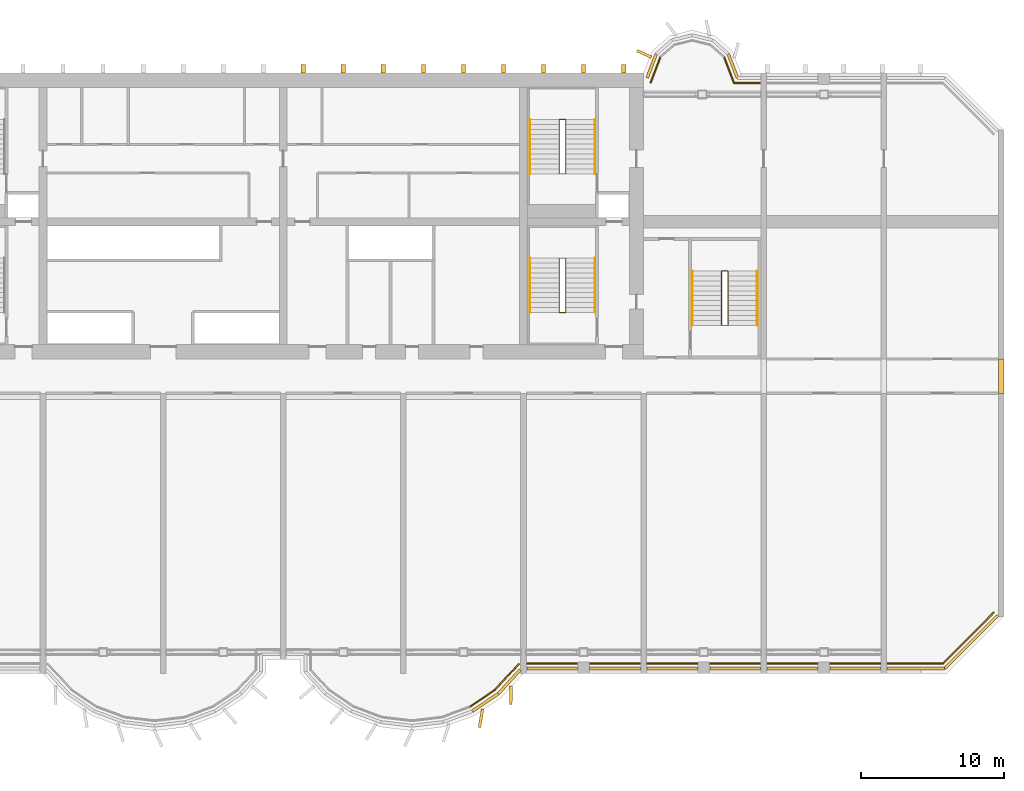
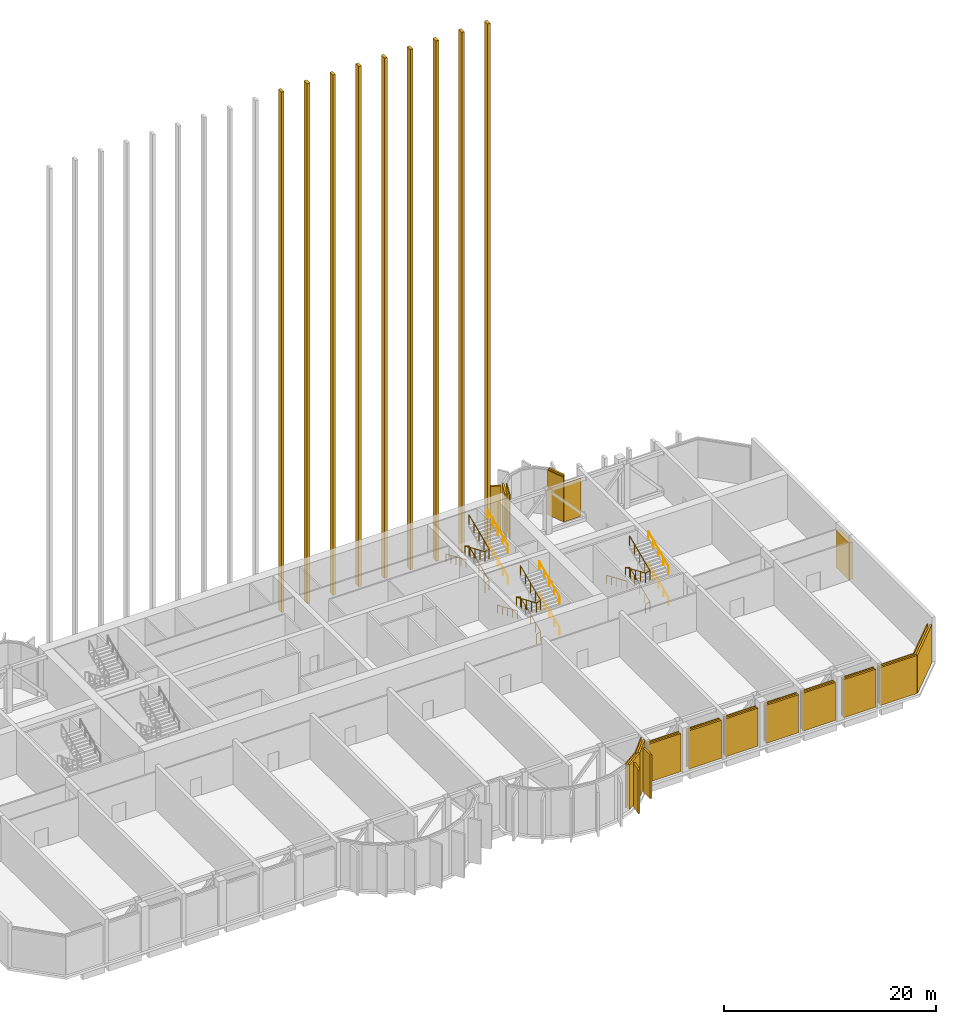
# One storey, part 16 of 17: 25 coverings, 13 shading devices, 12 railings.
"""IFC4 building model written with IfcOpenShell, lengths in metres."""

import ifcopenshell
import ifcopenshell.guid

model = None  # the IFC model being written
_history = None  # IfcOwnerHistory: only IFC2X3 demands one
_inside = {}  # id of a spatial element -> (the spatial element, [elements in it])
_under = {}  # id of a project, library or spatial element -> (it, [spatial elements below it])
_declared = {}  # id of a project -> (the project, [libraries it declares])
_typed = {}  # id of a type object -> (the type object, [elements of that type])
_made_of = {}  # id of a material, layer set ... -> (it, [elements and type objects made of it])


def new_model(schema):
    """Start an empty IFC model of exactly this schema.

    Asked for "IFC4X3", IfcOpenShell would pick the latest addendum, in which some entities
    have other attributes; the version numbers below select the first issue.
    IFC2X3 requires an IfcOwnerHistory on every rooted entity: one is made here for all.
    """
    global model, _history
    if schema == "IFC4X3":
        model = ifcopenshell.file(schema_version=(4, 3, 0, 0))
    else:
        model = ifcopenshell.file(schema=schema)
    _inside.clear()
    _under.clear()
    _declared.clear()
    _typed.clear()
    _made_of.clear()
    _history = None
    if model.schema == "IFC2X3":
        org = make("IfcOrganization", Name="unknown")
        user = make(
            "IfcPersonAndOrganization",
            ThePerson=make("IfcPerson", FamilyName="unknown"),
            TheOrganization=org,
        )
        app = make(
            "IfcApplication",
            ApplicationDeveloper=org,
            Version="unknown",
            ApplicationFullName="unknown",
            ApplicationIdentifier="unknown",
        )
        _history = make(
            "IfcOwnerHistory",
            OwningUser=user,
            OwningApplication=app,
            ChangeAction="ADDED",
            CreationDate=0,
        )
    return model


def make(cls, **values):
    """One entity of the class cls with the attributes given. An attribute that is None is left unset."""
    return model.create_entity(
        cls, **{name: value for name, value in values.items() if value is not None}
    )


def rooted(cls, **values):
    """An entity with a GlobalId (a new one), such as an element, a storey or a relation."""
    return make(cls, GlobalId=ifcopenshell.guid.new(), OwnerHistory=_history, **values)


def si_unit(unit_type, name, prefix=None):
    """IfcSIUnit, for example si_unit("LENGTHUNIT", "METRE", prefix="MILLI")."""
    return make("IfcSIUnit", UnitType=unit_type, Prefix=prefix, Name=name)


def assignment(units):
    """IfcUnitAssignment: the units of a project."""
    return None if units is None else make("IfcUnitAssignment", Units=units)


def point(xyz):
    """IfcCartesianPoint."""
    return None if xyz is None else make("IfcCartesianPoint", Coordinates=xyz)


def direction(xyz):
    """IfcDirection."""
    return None if xyz is None else make("IfcDirection", DirectionRatios=xyz)


def frame(location, z_axis=None, x_axis=None):
    """IfcAxis2Placement3D, a coordinate frame: its origin and axes. An axis left out is left unset."""
    return make(
        "IfcAxis2Placement3D",
        Location=point(location),
        Axis=direction(z_axis),
        RefDirection=direction(x_axis),
    )


def frame_2d(location, x_axis=None):
    """IfcAxis2Placement2D, a coordinate frame in the plane: its origin and x axis."""
    return make(
        "IfcAxis2Placement2D", Location=point(location), RefDirection=direction(x_axis)
    )


def origin():
    """The frame at (0, 0, 0) with its axes left unset."""
    return frame((0.0, 0.0, 0.0))


def origin_2d():
    """The frame at (0, 0) in the plane with its x axis left unset."""
    return frame_2d((0.0, 0.0))


def place(relative_to, where):
    """IfcLocalPlacement: puts the frame where relative to a parent placement (None: the world)."""
    return make(
        "IfcLocalPlacement", PlacementRelTo=relative_to, RelativePlacement=where
    )


def context(
    kind, dimensions, precision=None, world=None, true_north=None, identifier=None
):
    """IfcGeometricRepresentationContext, for example the 3D "Model" context."""
    return make(
        "IfcGeometricRepresentationContext",
        ContextIdentifier=identifier,
        ContextType=kind,
        CoordinateSpaceDimension=dimensions,
        Precision=precision,
        WorldCoordinateSystem=world,
        TrueNorth=true_north,
    )


def subcontext(parent, identifier, kind, view, scale=None):
    """IfcGeometricRepresentationSubContext, for example "Body" below "Model"."""
    return make(
        "IfcGeometricRepresentationSubContext",
        ContextIdentifier=identifier,
        ContextType=kind,
        ParentContext=parent,
        TargetScale=scale,
        TargetView=view,
    )


def project(units=None, contexts=None):
    """IfcProject with its units and contexts."""
    return rooted(
        "IfcProject",
        Name="project",
        RepresentationContexts=contexts,
        UnitsInContext=assignment(units),
    )


def spatial(cls, under=None, at=None, **own):
    """A site, building, storey or space (cls), placed at a placement, below another one or the project."""
    s = rooted(cls, ObjectPlacement=at, **own)
    if under is not None:
        _under.setdefault(under.id(), (under, []))[1].append(s)
    return s


def profile(cls, at=None, kind="AREA", **sizes):
    """A parametric profile (cls). Its sizes go by their IFC names, for example OverallWidth=200.0."""
    return make(cls, ProfileType=kind, Position=at, **sizes)


def rectangle(**sizes):
    """IfcRectangleProfileDef."""
    return profile("IfcRectangleProfileDef", **sizes)


def circle(**sizes):
    """IfcCircleProfileDef."""
    return profile("IfcCircleProfileDef", **sizes)


def extrude(swept, where, along, depth):
    """IfcExtrudedAreaSolid: the profile swept, set in the frame where, extruded along a direction by depth."""
    return make(
        "IfcExtrudedAreaSolid",
        SweptArea=swept,
        Position=where,
        ExtrudedDirection=direction(along),
        Depth=depth,
    )


def shape(context_of_items, identifier, shape_type, items):
    """IfcShapeRepresentation: the items that make up one representation, for example the "Body"."""
    return make(
        "IfcShapeRepresentation",
        ContextOfItems=context_of_items,
        RepresentationIdentifier=identifier,
        RepresentationType=shape_type,
        Items=items,
    )


def source(mapping_origin, context_of_items, identifier, shape_type, items):
    """IfcRepresentationMap: a shape defined once, which mapped items show again and again."""
    return make(
        "IfcRepresentationMap",
        MappingOrigin=mapping_origin,
        MappedRepresentation=shape(context_of_items, identifier, shape_type, items),
    )


def transform(
    local_origin,
    x_axis=None,
    y_axis=None,
    z_axis=None,
    scale=None,
    scale2=None,
    scale3=None,
    uniform=True,
):
    """IfcCartesianTransformationOperator3D, or its non-uniform kind. x_axis, y_axis, z_axis: its Axis1, 2, 3."""
    if uniform:
        return make(
            "IfcCartesianTransformationOperator3D",
            Axis1=direction(x_axis),
            Axis2=direction(y_axis),
            LocalOrigin=point(local_origin),
            Scale=scale,
            Axis3=direction(z_axis),
        )
    return make(
        "IfcCartesianTransformationOperator3DnonUniform",
        Axis1=direction(x_axis),
        Axis2=direction(y_axis),
        LocalOrigin=point(local_origin),
        Scale=scale,
        Axis3=direction(z_axis),
        Scale2=scale2,
        Scale3=scale3,
    )


def mapped(mapping_source, mapping_target):
    """IfcMappedItem: shows the shape of a source again, moved by a transform."""
    return make(
        "IfcMappedItem", MappingSource=mapping_source, MappingTarget=mapping_target
    )


def material(Name=None, Category=None):
    """IfcMaterial."""
    return make("IfcMaterial", Name=Name, Category=Category)


def layer(
    of_material, thickness, ventilated=None, Name=None, Category=None, Priority=None
):
    """IfcMaterialLayer: one layer of a wall or slab, of a material (None: an air gap)."""
    return make(
        "IfcMaterialLayer",
        Material=of_material,
        LayerThickness=thickness,
        IsVentilated=ventilated,
        Name=Name,
        Category=Category,
        Priority=Priority,
    )


def layer_set(layers, Name=None):
    """IfcMaterialLayerSet."""
    return make("IfcMaterialLayerSet", MaterialLayers=layers, LayerSetName=Name)


def material_profile(
    of_material, cross_section, Name=None, Category=None, Priority=None
):
    """IfcMaterialProfile: a cross section and its material."""
    return make(
        "IfcMaterialProfile",
        Name=Name,
        Material=of_material,
        Profile=cross_section,
        Priority=Priority,
        Category=Category,
    )


def profile_set(profiles, Name=None, composite=None):
    """IfcMaterialProfileSet."""
    return make(
        "IfcMaterialProfileSet",
        Name=Name,
        MaterialProfiles=profiles,
        CompositeProfile=composite,
    )


def made_of(thing, what):
    """Note that an element or type object is made of a material, layer set ...; save() writes the relation."""
    if what is not None:
        _made_of.setdefault(what.id(), (what, []))[1].append(thing)
    return thing


def type_object(cls, material=None, **own):
    """A type object (cls), such as IfcWallType, which elements share."""
    return made_of(rooted(cls, **own), material)


def element(
    cls,
    number,
    at=None,
    inside=None,
    cuts=None,
    type_object=None,
    material=None,
    context=None,
    identifier="Body",
    shape_type=None,
    held_by="IfcProductDefinitionShape",
    body=None,
    shapes=None,
    **own,
):
    """One element of the class cls, such as IfcWall. Its Tag is "e" and its number.

    at: its placement. inside: the storey or other place that contains it. cuts: it is an
    opening in that element (IfcRelVoidsElement). A single representation is given by context,
    identifier, shape_type and body (its items); several are given by shapes. held_by: the class
    of the entity that holds the representations. save() writes the other relations.
    """
    e = rooted(cls, Tag="e%d" % number, ObjectPlacement=at, **own)
    if body is not None:
        shapes = [shape(context, identifier, shape_type, body)]
    if shapes is not None:
        e.Representation = make(held_by, Representations=shapes)
    if inside is not None:
        _inside.setdefault(inside.id(), (inside, []))[1].append(e)
    if cuts is not None:
        rooted(
            "IfcRelVoidsElement", RelatingBuildingElement=cuts, RelatedOpeningElement=e
        )
    if type_object is not None:
        _typed.setdefault(type_object.id(), (type_object, []))[1].append(e)
    return made_of(e, material)


def aggregate(whole, parts):
    """IfcRelAggregates: a whole, such as a stair, and the parts it consists of."""
    return rooted("IfcRelAggregates", RelatingObject=whole, RelatedObjects=parts)


def save(model, path):
    """Write the relations noted so far, then the file.

    IfcRelAggregates (storeys below a building ...), IfcRelContainedInSpatialStructure (elements
    in a storey), IfcRelDefinesByType, IfcRelAssociatesMaterial and IfcRelDeclares: one each for
    every whole, place, type object, material and project.
    """
    for whole, parts in _under.values():
        aggregate(whole, parts)
    for where, things in _inside.values():
        rooted(
            "IfcRelContainedInSpatialStructure",
            RelatedElements=things,
            RelatingStructure=where,
        )
    for kind, things in _typed.values():
        rooted("IfcRelDefinesByType", RelatedObjects=things, RelatingType=kind)
    for what, things in _made_of.values():
        rooted("IfcRelAssociatesMaterial", RelatedObjects=things, RelatingMaterial=what)
    for by, libraries in _declared.values():
        rooted("IfcRelDeclares", RelatingContext=by, RelatedDefinitions=libraries)
    model.write(path)


model = new_model("IFC4")

# Units and contexts
model_context = context("Model", 3, precision=1e-05, world=origin(), true_north=direction((0.0, 1.0)))
body_context = subcontext(model_context, "Body", "Model", "MODEL_VIEW")
ifc_project = project(units=[si_unit("LENGTHUNIT", "METRE"), si_unit("AREAUNIT", "SQUARE_METRE"), si_unit("VOLUMEUNIT", "CUBIC_METRE"), si_unit("PLANEANGLEUNIT", "RADIAN"), si_unit("MASSUNIT", "GRAM", prefix="KILO")], contexts=[model_context])

# Site, building, storey
site_placement = place(None, origin())
site = spatial("IfcSite", under=ifc_project, at=site_placement, CompositionType="ELEMENT")
building_placement = place(site_placement, origin())
building = spatial("IfcBuilding", under=site, at=building_placement, Name="Vanashikhar Sky Hotel", CompositionType="ELEMENT")
storey_placement = place(building_placement, frame((0.0, 0.0, 81.0)))
storey = spatial("IfcBuildingStorey", under=building, at=storey_placement, Name="L19", CompositionType="ELEMENT", Elevation=81.0)

# Shading devices
ifc_material_1 = material(Name="Aluminium", Category="aluminium")
ifc_layer_1 = layer(ifc_material_1, 0.199951171875)
ifc_layer_set_1 = layer_set([ifc_layer_1], Name="Aluminium louvre band")
shading_device_type = type_object("IfcShadingDeviceType", Name="Aluminium louvre band", PredefinedType="USERDEFINED", material=ifc_layer_set_1)
shared_shape_1 = source(origin(), body_context, "Body", "SweptSolid", [
    extrude(rectangle(XDim=4.02490234375, YDim=0.199951171875, at=origin_2d()), origin(), (0.0, 0.0, 1.0), 4.3701171875),
])
shading_device_1_placement = place(storey_placement, frame((94.642578125, 0.35009765625, 0.0), z_axis=(0.0, 0.0, 1.0), x_axis=(1.0, 0.0, 0.0)))
element("IfcShadingDevice", 1, at=shading_device_1_placement, inside=storey, type_object=shading_device_type, Name="Louvre band", ObjectType="LOUVRE", PredefinedType="USERDEFINED", context=body_context, shape_type="MappedRepresentation", body=[
    mapped(shared_shape_1, transform((0.0, 0.0, 0.0), scale=1.0)),
])
shared_shape_2 = source(origin(), body_context, "Body", "SweptSolid", [
    extrude(rectangle(XDim=3.5400390625, YDim=0.199951171875, at=origin_2d()), origin(), (0.0, 0.0, 1.0), 4.3701171875),
])
for number, where, z_axis, x_axis, name in (
    (2, (69.199951171875, 0.35009765625, 0.0), (0.0, 0.0, 1.0), (1.0, 0.0, 0.0), "Louvre band"),
    (3, (73.60009765625, 0.35009765625, 0.0), (0.0, 0.0, 1.0), (1.0, 0.0, 0.0), "Louvre band"),
    (4, (77.60009765625, 0.35009765625, 0.0), (0.0, 0.0, 1.0), (1.0, 0.0, 0.0), "Louvre band"),
    (5, (82.0, 0.35009765625, 0.0), (0.0, 0.0, 1.0), (1.0, 0.0, 0.0), "Louvre band"),
    (6, (86.0, 0.35009765625, 0.0), (0.0, 0.0, 1.0), (1.0, 0.0, 0.0), "Louvre band"),
    (7, (90.39990234375, 0.35009765625, 0.0), (0.0, 0.0, 1.0), (1.0, 0.0, 0.0), "Louvre band"),
):
    element("IfcShadingDevice", number, at=place(storey_placement, frame(where, z_axis=z_axis, x_axis=x_axis)), inside=storey, type_object=shading_device_type, Name=name, ObjectType="LOUVRE", PredefinedType="USERDEFINED", context=body_context, shape_type="MappedRepresentation", body=[
        mapped(shared_shape_2, transform((0.0, 0.0, 0.0), scale=1.0)),
    ])
shared_shape_3 = source(origin(), body_context, "Body", "SweptSolid", [
    extrude(rectangle(XDim=2.27001953125, YDim=0.199951171875, at=origin_2d()), origin(), (0.0, 0.0, 1.0), 5.1201171875),
])
shading_device_2_placement = place(storey_placement, frame((66.20361328125, -0.56982421875, 0.0), z_axis=(0.0, 0.0, 1.0), x_axis=(0.675358551774, 0.737489543347, 0.0)))
element("IfcShadingDevice", 8, at=shading_device_2_placement, inside=storey, type_object=shading_device_type, Name="Louvre band", ObjectType="LOUVRE", PredefinedType="USERDEFINED", context=body_context, shape_type="MappedRepresentation", body=[
    mapped(shared_shape_3, transform((0.0, 0.0, 0.0), scale=1.0)),
])
shared_shape_4 = source(origin(), body_context, "Body", "SweptSolid", [
    extrude(rectangle(XDim=2.1875, YDim=0.199951171875, at=origin_2d()), origin(), (0.0, 0.0, 1.0), 5.1201171875),
])
shading_device_3_placement = place(storey_placement, frame((64.529541015625, -2.017578125, 0.0), z_axis=(0.0, 0.0, 1.0), x_axis=(0.829583722896, 0.558382348132, 0.0)))
element("IfcShadingDevice", 9, at=shading_device_3_placement, inside=storey, type_object=shading_device_type, Name="Louvre band", ObjectType="LOUVRE", PredefinedType="USERDEFINED", context=body_context, shape_type="MappedRepresentation", body=[
    mapped(shared_shape_4, transform((0.0, 0.0, 0.0), scale=1.0)),
])
shared_shape_5 = source(origin(), body_context, "Body", "SweptSolid", [
    extrude(rectangle(XDim=5.25390625, YDim=0.199951171875, at=origin_2d()), origin(), (0.0, 0.0, 1.0), 4.3701171875),
])
shading_device_4_placement = place(storey_placement, frame((98.512451171875, 2.20751953125, 0.0), z_axis=(0.0, 0.0, 1.0), x_axis=(0.707106781187, 0.707106781187, 0.0)))
element("IfcShadingDevice", 10, at=shading_device_4_placement, inside=storey, type_object=shading_device_type, Name="Louvre band", ObjectType="LOUVRE", PredefinedType="USERDEFINED", context=body_context, shape_type="MappedRepresentation", body=[
    mapped(shared_shape_5, transform((0.0, 0.0, 0.0), scale=1.0)),
])
shared_shape_6 = source(origin(), body_context, "Body", "SweptSolid", [
    extrude(rectangle(XDim=1.7900390625, YDim=0.199951171875, at=origin_2d()), origin(), (0.0, 0.0, 1.0), 5.1201171875),
])
for number, where, z_axis, x_axis, name in (
    (11, (81.839111328125, 42.485595703125, 0.0), (0.0, 0.0, 1.0), (-0.35776499493, 0.933811655744, 0.0), "Louvre band"),
    (12, (76.160888671875, 42.485595703125, 0.0), (0.0, 0.0, 1.0), (-0.35776499493, -0.933811655744, 0.0), "Louvre band"),
):
    element("IfcShadingDevice", number, at=place(storey_placement, frame(where, z_axis=z_axis, x_axis=x_axis)), inside=storey, type_object=shading_device_type, Name=name, ObjectType="LOUVRE", PredefinedType="USERDEFINED", context=body_context, shape_type="MappedRepresentation", body=[
        mapped(shared_shape_6, transform((0.0, 0.0, 0.0), scale=1.0)),
    ])

# Coverings
ifc_material_2 = material(Name="Concrete M40", Category="concrete")
ifc_layer_2 = layer(ifc_material_2, 0.10009765625)
ifc_layer_set_2 = layer_set([ifc_layer_2], Name="Plant floor cladding panel")
covering_type_1 = type_object("IfcCoveringType", Name="Plant floor cladding panel", PredefinedType="CLADDING", material=ifc_layer_set_2)
shared_shape_7 = source(origin(), body_context, "Body", "SweptSolid", [
    extrude(rectangle(XDim=3.880126953125, YDim=0.10009765625, at=origin_2d()), origin(), (0.0, 0.0, 1.0), 4.3701171875),
])
covering_1_placement = place(storey_placement, frame((94.570068359375, 0.699951171875, 0.0), z_axis=(0.0, 0.0, 1.0), x_axis=(1.0, 0.0, 0.0)))
element("IfcCovering", 13, at=covering_1_placement, inside=storey, type_object=covering_type_1, Name="Plant floor cladding panel", PredefinedType="CLADDING", context=body_context, shape_type="MappedRepresentation", body=[
    mapped(shared_shape_7, transform((0.0, 0.0, 0.0), scale=1.0)),
])
shared_shape_8 = source(origin(), body_context, "Body", "SweptSolid", [
    extrude(rectangle(XDim=3.5400390625, YDim=0.10009765625, at=origin_2d()), origin(), (0.0, 0.0, 1.0), 4.3701171875),
])
for number, where, z_axis, x_axis, name in (
    (14, (69.199951171875, 0.699951171875, 0.0), (0.0, 0.0, 1.0), (1.0, 0.0, 0.0), "Plant floor cladding panel"),
    (15, (73.60009765625, 0.699951171875, 0.0), (0.0, 0.0, 1.0), (1.0, 0.0, 0.0), "Plant floor cladding panel"),
    (16, (77.60009765625, 0.699951171875, 0.0), (0.0, 0.0, 1.0), (1.0, 0.0, 0.0), "Plant floor cladding panel"),
    (17, (82.0, 0.699951171875, 0.0), (0.0, 0.0, 1.0), (1.0, 0.0, 0.0), "Plant floor cladding panel"),
    (18, (86.0, 0.699951171875, 0.0), (0.0, 0.0, 1.0), (1.0, 0.0, 0.0), "Plant floor cladding panel"),
    (19, (90.39990234375, 0.699951171875, 0.0), (0.0, 0.0, 1.0), (1.0, 0.0, 0.0), "Plant floor cladding panel"),
):
    element("IfcCovering", number, at=place(storey_placement, frame(where, z_axis=z_axis, x_axis=x_axis)), inside=storey, type_object=covering_type_1, Name=name, PredefinedType="CLADDING", context=body_context, shape_type="MappedRepresentation", body=[
        mapped(shared_shape_8, transform((0.0, 0.0, 0.0), scale=1.0)),
    ])
shared_shape_9 = source(origin(), body_context, "Body", "SweptSolid", [
    extrude(rectangle(XDim=2.49462890625, YDim=0.10009765625, at=origin_2d()), origin(), (0.0, 0.0, 1.0), 5.1201171875),
])
covering_2_placement = place(storey_placement, frame((66.049560546875, -0.219970703125, 0.0), z_axis=(0.0, 0.0, 1.0), x_axis=(0.675384294604, 0.737465968437, 0.0)))
element("IfcCovering", 20, at=covering_2_placement, inside=storey, type_object=covering_type_1, Name="Plant floor cladding panel", PredefinedType="CLADDING", context=body_context, shape_type="MappedRepresentation", body=[
    mapped(shared_shape_9, transform((0.0, 0.0, 0.0), scale=1.0)),
])
shared_shape_10 = source(origin(), body_context, "Body", "SweptSolid", [
    extrude(rectangle(XDim=2.104248046875, YDim=0.10009765625, at=origin_2d()), origin(), (0.0, 0.0, 1.0), 5.1201171875),
])
covering_3_placement = place(storey_placement, frame((64.333984375, -1.727294921875, 0.0), z_axis=(0.0, 0.0, 1.0), x_axis=(0.829603213612, 0.558353389857, 0.0)))
element("IfcCovering", 21, at=covering_3_placement, inside=storey, type_object=covering_type_1, Name="Plant floor cladding panel", PredefinedType="CLADDING", context=body_context, shape_type="MappedRepresentation", body=[
    mapped(shared_shape_10, transform((0.0, 0.0, 0.0), scale=1.0)),
])
shared_shape_11 = source(origin(), body_context, "Body", "SweptSolid", [
    extrude(rectangle(XDim=5.076904296875, YDim=0.10009765625, at=origin_2d()), origin(), (0.0, 0.0, 1.0), 4.3701171875),
])
covering_4_placement = place(storey_placement, frame((98.304931640625, 2.4951171875, 0.0), z_axis=(0.0, 0.0, 1.0), x_axis=(0.707106781187, 0.707106781187, 0.0)))
element("IfcCovering", 22, at=covering_4_placement, inside=storey, type_object=covering_type_1, Name="Plant floor cladding panel", PredefinedType="CLADDING", context=body_context, shape_type="MappedRepresentation", body=[
    mapped(shared_shape_11, transform((0.0, 0.0, 0.0), scale=1.0)),
])
shared_shape_12 = source(origin(), body_context, "Body", "SweptSolid", [
    extrude(rectangle(XDim=1.851318359375, YDim=0.10009765625, at=origin_2d()), origin(), (0.0, 0.0, 1.0), 4.3701171875),
])
covering_5_placement = place(storey_placement, frame((82.84423828125, 41.300048828125, 0.0), z_axis=(0.0, 0.0, 1.0), x_axis=(-1.0, 0.0, 0.0)))
element("IfcCovering", 23, at=covering_5_placement, inside=storey, type_object=covering_type_1, Name="Plant floor cladding panel", PredefinedType="CLADDING", context=body_context, shape_type="MappedRepresentation", body=[
    mapped(shared_shape_12, transform((0.0, 0.0, 0.0), scale=1.0)),
])
shared_shape_13 = source(origin(), body_context, "Body", "SweptSolid", [
    extrude(rectangle(XDim=1.944580078125, YDim=0.10009765625, at=origin_2d()), origin(), (0.0, 0.0, 1.0), 5.1201171875),
])
for number, where, z_axis, x_axis, name in (
    (24, (81.57080078125, 42.2080078125, 0.0), (0.0, 0.0, 1.0), (-0.357781292963, 0.933805411425, 0.0), "Plant floor cladding panel"),
    (25, (76.42919921875, 42.2080078125, 0.0), (0.0, 0.0, 1.0), (-0.357781292963, -0.933805411425, 0.0), "Plant floor cladding panel"),
):
    element("IfcCovering", number, at=place(storey_placement, frame(where, z_axis=z_axis, x_axis=x_axis)), inside=storey, type_object=covering_type_1, Name=name, PredefinedType="CLADDING", context=body_context, shape_type="MappedRepresentation", body=[
        mapped(shared_shape_13, transform((0.0, 0.0, 0.0), scale=1.0)),
    ])

# Shading device
shared_shape_14 = source(origin(), body_context, "Body", "SweptSolid", [
    extrude(rectangle(XDim=0.39990234375, YDim=2.39990234375, at=origin_2d()), origin(), (0.0, 0.0, 1.0), 4.219970703125),
])
shading_device_5_placement = place(storey_placement, frame((100.60009765625, 20.800048828125, 0.0), z_axis=(0.0, 0.0, 1.0), x_axis=(1.0, 0.0, 0.0)))
element("IfcShadingDevice", 26, at=shading_device_5_placement, inside=storey, type_object=shading_device_type, Name="Louvre band", ObjectType="LOUVRE", PredefinedType="USERDEFINED", context=body_context, shape_type="MappedRepresentation", body=[
    mapped(shared_shape_14, transform((0.0, 0.0, 0.0), scale=1.0)),
])

# Coverings
ifc_material_3 = material(Name="Concrete M60 dark", Category="concrete")
ifc_material_profile_1 = material_profile(ifc_material_3, rectangle(XDim=1.300048828125, YDim=0.199951171875, at=origin_2d()))
ifc_profile_set_1 = profile_set([ifc_material_profile_1], Name="Fin 1300 x 200")
covering_type_2 = type_object("IfcCoveringType", Name="Fin 1300 x 200", PredefinedType="CLADDING", material=ifc_profile_set_1)
shared_shape_15 = source(origin(), body_context, "Body", "SweptSolid", [
    extrude(rectangle(XDim=1.300048828125, YDim=0.199951171875, at=origin_2d()), origin(), (0.0, 0.0, 1.0), 5.050048828125),
])
for number, where, z_axis, x_axis, name in (
    (27, (64.2275390625, -3.1220703125, 0.0), (0.0, 0.0, 1.0), (-0.16989991575, -0.985461322746, 0.0), "Fin F2-6"),
    (28, (66.317626953125, -1.507080078125, 0.0), (0.0, 0.0, 1.0), (-0.011588726826, -0.999932848451, 0.0), "Fin F2-7"),
):
    element("IfcCovering", number, at=place(storey_placement, frame(where, z_axis=z_axis, x_axis=x_axis)), inside=storey, type_object=covering_type_2, Name=name, PredefinedType="CLADDING", context=body_context, shape_type="MappedRepresentation", body=[
        mapped(shared_shape_15, transform((0.0, 0.0, 0.0), scale=1.0)),
    ])
ifc_material_profile_2 = material_profile(ifc_material_3, rectangle(XDim=1.10009765625, YDim=0.199951171875, at=origin_2d()))
ifc_profile_set_2 = profile_set([ifc_material_profile_2], Name="Rear lobe fin 1100 x 200")
covering_type_3 = type_object("IfcCoveringType", Name="Rear lobe fin 1100 x 200", PredefinedType="CLADDING", material=ifc_profile_set_2)
shared_shape_16 = source(origin(), body_context, "Body", "SweptSolid", [
    extrude(rectangle(XDim=1.10009765625, YDim=0.199951171875, at=origin_2d()), origin(), (0.0, 0.0, 1.0), 5.1201171875),
])
covering_6_placement = place(storey_placement, frame((75.63037109375, 43.33447265625, 0.0), z_axis=(0.0, 0.0, 1.0), x_axis=(-0.908004291068, 0.418960866193, 0.0)))
element("IfcCovering", 29, at=covering_6_placement, inside=storey, type_object=covering_type_3, Name="Fin R2-1", PredefinedType="CLADDING", context=body_context, shape_type="MappedRepresentation", body=[
    mapped(shared_shape_16, transform((0.0, 0.0, 0.0), scale=1.0)),
])
ifc_material_profile_3 = material_profile(ifc_material_3, rectangle(XDim=0.60009765625, YDim=0.300048828125, at=origin_2d()))
ifc_profile_set_3 = profile_set([ifc_material_profile_3], Name="Rear rib 600 x 300")
covering_type_4 = type_object("IfcCoveringType", Name="Rear rib 600 x 300", PredefinedType="CLADDING", material=ifc_profile_set_3)
shared_shape_17 = source(origin(), body_context, "Body", "SweptSolid", [
    extrude(rectangle(XDim=0.60009765625, YDim=0.300048828125, at=origin_2d()), origin(), (0.0, 0.0, 1.0), 59.800048828125),
])
for number, where, z_axis, x_axis, name in (
    (30, (51.800048828125, 42.300048828125, -0.280029296875), (0.0, 0.0, 1.0), (0.0, 1.0, 0.0), "Rear rib"),
    (31, (54.60009765625, 42.300048828125, -0.280029296875), (0.0, 0.0, 1.0), (0.0, 1.0, 0.0), "Rear rib"),
    (32, (57.39990234375, 42.300048828125, -0.280029296875), (0.0, 0.0, 1.0), (0.0, 1.0, 0.0), "Rear rib"),
    (33, (60.199951171875, 42.300048828125, -0.280029296875), (0.0, 0.0, 1.0), (0.0, 1.0, 0.0), "Rear rib"),
    (34, (63.0, 42.300048828125, -0.280029296875), (0.0, 0.0, 1.0), (0.0, 1.0, 0.0), "Rear rib"),
    (35, (65.800048828125, 42.300048828125, -0.280029296875), (0.0, 0.0, 1.0), (0.0, 1.0, 0.0), "Rear rib"),
    (36, (68.60009765625, 42.300048828125, -0.280029296875), (0.0, 0.0, 1.0), (0.0, 1.0, 0.0), "Rear rib"),
    (37, (71.39990234375, 42.300048828125, -0.280029296875), (0.0, 0.0, 1.0), (0.0, 1.0, 0.0), "Rear rib"),
    (38, (74.199951171875, 42.300048828125, -0.280029296875), (0.0, 0.0, 1.0), (0.0, 1.0, 0.0), "Rear rib"),
):
    element("IfcCovering", number, at=place(storey_placement, frame(where, z_axis=z_axis, x_axis=x_axis)), inside=storey, type_object=covering_type_4, Name=name, PredefinedType="CLADDING", context=body_context, shape_type="MappedRepresentation", body=[
        mapped(shared_shape_17, transform((0.0, 0.0, 0.0), scale=1.0)),
    ])

# Railings
ifc_material_4 = material(Name="Steel S355", Category="steel")
railing_type_1 = type_object("IfcRailingType", Name="Stair handrail 900", PredefinedType="HANDRAIL", material=ifc_material_4)
shared_shape_18 = source(origin(), body_context, "Body", "SweptSolid", [
    extrude(circle(Radius=0.02392578125, at=origin_2d()), frame((0.0, 0.0, 0.8759765625), z_axis=(0.0, -0.917250781605, 0.398310185215), x_axis=(1.0, 0.0, 0.0)), (0.0, 0.0, 1.0), 4.142822265625),
    extrude(circle(Radius=0.02099609375, at=origin_2d()), origin(), (0.0, 0.0, 1.0), 0.851806640625),
    extrude(circle(Radius=0.02099609375, at=origin_2d()), frame((0.0, -0.949951171875, 0.41259765625)), (0.0, 0.0, 1.0), 0.851806640625),
    extrude(circle(Radius=0.02099609375, at=origin_2d()), frame((0.0, -1.89990234375, 0.8251953125)), (0.0, 0.0, 1.0), 0.851806640625),
    extrude(circle(Radius=0.02099609375, at=origin_2d()), frame((0.0, -2.85009765625, 1.237548828125)), (0.0, 0.0, 1.0), 0.851806640625),
    extrude(circle(Radius=0.02099609375, at=origin_2d()), frame((0.0, -3.800048828125, 1.650146484375)), (0.0, 0.0, 1.0), 0.851806640625),
])
for number, where, name in (
    (39, (67.64990234375, 29.050048828125, 1.949951171875), "Exit stair 2 handrail"),
    (40, (67.64990234375, 38.75, 1.949951171875), "Exit stair 6 handrail"),
):
    element("IfcRailing", number, at=place(storey_placement, frame(where)), inside=storey, type_object=railing_type_1, Name=name, PredefinedType="HANDRAIL", context=body_context, shape_type="MappedRepresentation", body=[
        mapped(shared_shape_18, transform((0.0, 0.0, 0.0), scale=1.0)),
    ])
shared_shape_19 = source(origin(), body_context, "Body", "SweptSolid", [
    extrude(circle(Radius=0.02392578125, at=origin_2d()), frame((0.0, 0.0, 0.8759765625), z_axis=(0.0, 0.917250781605, 0.398310185215), x_axis=(-1.0, 0.0, 0.0)), (0.0, 0.0, 1.0), 4.142822265625),
    extrude(circle(Radius=0.02099609375, at=origin_2d()), origin(), (0.0, 0.0, 1.0), 0.851806640625),
    extrude(circle(Radius=0.02099609375, at=origin_2d()), frame((0.0, 0.949951171875, 0.41259765625)), (0.0, 0.0, 1.0), 0.851806640625),
    extrude(circle(Radius=0.02099609375, at=origin_2d()), frame((0.0, 1.89990234375, 0.8251953125)), (0.0, 0.0, 1.0), 0.851806640625),
    extrude(circle(Radius=0.02099609375, at=origin_2d()), frame((0.0, 2.85009765625, 1.237548828125)), (0.0, 0.0, 1.0), 0.851806640625),
    extrude(circle(Radius=0.02099609375, at=origin_2d()), frame((0.0, 3.800048828125, 1.650146484375)), (0.0, 0.0, 1.0), 0.851806640625),
])
for number, where, name in (
    (41, (72.199951171875, 25.25, 0.14990234375), "Exit stair 2 handrail"),
    (42, (72.199951171875, 34.949951171875, 0.14990234375), "Exit stair 6 handrail"),
):
    element("IfcRailing", number, at=place(storey_placement, frame(where)), inside=storey, type_object=railing_type_1, Name=name, PredefinedType="HANDRAIL", context=body_context, shape_type="MappedRepresentation", body=[
        mapped(shared_shape_19, transform((0.0, 0.0, 0.0), scale=1.0)),
    ])
shared_shape_20 = source(origin(), body_context, "Body", "SweptSolid", [
    extrude(circle(Radius=0.02392578125, at=origin_2d()), frame((0.0, 0.0, 0.8759765625), z_axis=(0.0, 0.91727231099, 0.398260602484), x_axis=(-1.0, 0.0, 0.0)), (0.0, 0.0, 1.0), 4.142822265625),
    extrude(circle(Radius=0.02099609375, at=origin_2d()), origin(), (0.0, 0.0, 1.0), 0.851806640625),
    extrude(circle(Radius=0.02099609375, at=origin_2d()), frame((0.0, 0.949951171875, 0.41259765625)), (0.0, 0.0, 1.0), 0.851806640625),
    extrude(circle(Radius=0.02099609375, at=origin_2d()), frame((0.0, 1.89990234375, 0.824951171875)), (0.0, 0.0, 1.0), 0.851806640625),
    extrude(circle(Radius=0.02099609375, at=origin_2d()), frame((0.0, 2.85009765625, 1.2373046875)), (0.0, 0.0, 1.0), 0.851806640625),
    extrude(circle(Radius=0.02099609375, at=origin_2d()), frame((0.0, 3.800048828125, 1.64990234375)), (0.0, 0.0, 1.0), 0.851806640625),
])
for number, where, name in (
    (43, (72.199951171875, 25.25, 3.75), "Exit stair 2 handrail"),
    (44, (72.199951171875, 34.949951171875, 3.75), "Exit stair 6 handrail"),
):
    element("IfcRailing", number, at=place(storey_placement, frame(where)), inside=storey, type_object=railing_type_1, Name=name, PredefinedType="HANDRAIL", context=body_context, shape_type="MappedRepresentation", body=[
        mapped(shared_shape_20, transform((0.0, 0.0, 0.0), scale=1.0)),
    ])
railing_type_2 = type_object("IfcRailingType", Name="Stair guard 1100", PredefinedType="GUARDRAIL", material=ifc_material_4)
shared_shape_21 = source(origin(), body_context, "Body", "SweptSolid", [
    extrude(circle(Radius=0.02392578125, at=origin_2d()), frame((0.0, 0.0, 1.076171875), z_axis=(0.948734763221, 0.0, 0.316073328604), x_axis=(0.0, 1.0, 0.0)), (0.0, 0.0, 1.0), 0.474365234375),
    extrude(circle(Radius=0.02392578125, at=origin_2d()), frame((0.449951171875, 0.0, 1.22607421875), z_axis=(0.0, 0.917250781605, 0.398310185215), x_axis=(-1.0, 0.0, 0.0)), (0.0, 0.0, 1.0), 4.142822265625),
    extrude(circle(Radius=0.02392578125, at=origin_2d()), frame((0.449951171875, 3.800048828125, 2.8759765625), z_axis=(-0.948734763221, 0.0, 0.316073328604), x_axis=(0.0, -1.0, 0.0)), (0.0, 0.0, 1.0), 0.474365234375),
    extrude(circle(Radius=0.02392578125, at=origin_2d()), frame((0.0, 3.800048828125, 3.02587890625), z_axis=(0.0, -0.917250781605, 0.398310185215), x_axis=(1.0, 0.0, 0.0)), (0.0, 0.0, 1.0), 4.142822265625),
    extrude(circle(Radius=0.02392578125, at=origin_2d()), frame((0.0, 0.0, 4.67626953125), z_axis=(0.948734763221, 0.0, 0.316073328604), x_axis=(0.0, 1.0, 0.0)), (0.0, 0.0, 1.0), 0.474365234375),
    extrude(circle(Radius=0.02392578125, at=origin_2d()), frame((0.449951171875, 0.0, 4.826171875), z_axis=(0.0, 0.91727231099, 0.398260602484), x_axis=(-1.0, 0.0, 0.0)), (0.0, 0.0, 1.0), 4.142822265625),
    extrude(circle(Radius=0.02099609375, at=origin_2d()), origin(), (0.0, 0.0, 1.0), 1.052001953125),
    extrude(circle(Radius=0.02099609375, at=origin_2d()), frame((0.449951171875, 0.0, 0.14990234375)), (0.0, 0.0, 1.0), 1.052001953125),
    extrude(circle(Radius=0.02099609375, at=origin_2d()), frame((0.449951171875, 0.949951171875, 0.5625)), (0.0, 0.0, 1.0), 1.052001953125),
    extrude(circle(Radius=0.02099609375, at=origin_2d()), frame((0.449951171875, 1.89990234375, 0.97509765625)), (0.0, 0.0, 1.0), 1.052001953125),
    extrude(circle(Radius=0.02099609375, at=origin_2d()), frame((0.449951171875, 2.85009765625, 1.387451171875)), (0.0, 0.0, 1.0), 1.052001953125),
    extrude(circle(Radius=0.02099609375, at=origin_2d()), frame((0.449951171875, 3.800048828125, 1.800048828125)), (0.0, 0.0, 1.0), 1.052001953125),
    extrude(circle(Radius=0.02099609375, at=origin_2d()), frame((0.0, 3.800048828125, 1.949951171875)), (0.0, 0.0, 1.0), 1.052001953125),
    extrude(circle(Radius=0.02099609375, at=origin_2d()), frame((0.0, 2.85009765625, 2.362548828125)), (0.0, 0.0, 1.0), 1.052001953125),
    extrude(circle(Radius=0.02099609375, at=origin_2d()), frame((0.0, 1.89990234375, 2.77490234375)), (0.0, 0.0, 1.0), 1.052001953125),
    extrude(circle(Radius=0.02099609375, at=origin_2d()), frame((0.0, 0.949951171875, 3.1875)), (0.0, 0.0, 1.0), 1.052001953125),
    extrude(circle(Radius=0.02099609375, at=origin_2d()), frame((0.0, 0.0, 3.60009765625)), (0.0, 0.0, 1.0), 1.052001953125),
    extrude(circle(Radius=0.02099609375, at=origin_2d()), frame((0.449951171875, 0.0, 3.75)), (0.0, 0.0, 1.0), 1.052001953125),
    extrude(circle(Radius=0.02099609375, at=origin_2d()), frame((0.449951171875, 0.949951171875, 4.16259765625)), (0.0, 0.0, 1.0), 1.052001953125),
    extrude(circle(Radius=0.02099609375, at=origin_2d()), frame((0.449951171875, 1.89990234375, 4.574951171875)), (0.0, 0.0, 1.0), 1.052001953125),
    extrude(circle(Radius=0.02099609375, at=origin_2d()), frame((0.449951171875, 2.85009765625, 4.9873046875)), (0.0, 0.0, 1.0), 1.052001953125),
    extrude(circle(Radius=0.02099609375, at=origin_2d()), frame((0.449951171875, 3.800048828125, 5.39990234375)), (0.0, 0.0, 1.0), 1.052001953125),
])
for number, where, name in (
    (45, (69.699951171875, 25.25, 0.0), "Exit stair 2 guard"),
    (46, (69.699951171875, 34.949951171875, 0.0), "Exit stair 6 guard"),
):
    element("IfcRailing", number, at=place(storey_placement, frame(where)), inside=storey, type_object=railing_type_2, Name=name, PredefinedType="GUARDRAIL", context=body_context, shape_type="MappedRepresentation", body=[
        mapped(shared_shape_21, transform((0.0, 0.0, 0.0), scale=1.0)),
    ])
shared_shape_22 = source(origin(), body_context, "Body", "SweptSolid", [
    extrude(circle(Radius=0.02392578125, at=origin_2d()), frame((0.0, 0.0, 0.8759765625), z_axis=(0.0, -0.917241431489, 0.398331716489), x_axis=(1.0, 0.0, 0.0)), (0.0, 0.0, 1.0), 4.142578125),
    extrude(circle(Radius=0.02099609375, at=origin_2d()), origin(), (0.0, 0.0, 1.0), 0.851806640625),
    extrude(circle(Radius=0.02099609375, at=origin_2d()), frame((0.0, -0.949951171875, 0.41259765625)), (0.0, 0.0, 1.0), 0.851806640625),
    extrude(circle(Radius=0.02099609375, at=origin_2d()), frame((0.0, -1.89990234375, 0.8251953125)), (0.0, 0.0, 1.0), 0.851806640625),
    extrude(circle(Radius=0.02099609375, at=origin_2d()), frame((0.0, -2.849853515625, 1.237548828125)), (0.0, 0.0, 1.0), 0.851806640625),
    extrude(circle(Radius=0.02099609375, at=origin_2d()), frame((0.0, -3.7998046875, 1.650146484375)), (0.0, 0.0, 1.0), 0.851806640625),
])
railing_1_placement = place(storey_placement, frame((79.0, 28.14990234375, 1.949951171875)))
element("IfcRailing", 47, at=railing_1_placement, inside=storey, type_object=railing_type_1, Name="Exit stair 4 handrail", PredefinedType="HANDRAIL", context=body_context, shape_type="MappedRepresentation", body=[
    mapped(shared_shape_22, transform((0.0, 0.0, 0.0), scale=1.0)),
])
shared_shape_23 = source(origin(), body_context, "Body", "SweptSolid", [
    extrude(circle(Radius=0.02392578125, at=origin_2d()), frame((0.0, 0.0, 0.8759765625), z_axis=(0.0, 0.917241431489, 0.398331716489), x_axis=(-1.0, 0.0, 0.0)), (0.0, 0.0, 1.0), 4.142578125),
    extrude(circle(Radius=0.02099609375, at=origin_2d()), origin(), (0.0, 0.0, 1.0), 0.851806640625),
    extrude(circle(Radius=0.02099609375, at=origin_2d()), frame((0.0, 0.949951171875, 0.41259765625)), (0.0, 0.0, 1.0), 0.851806640625),
    extrude(circle(Radius=0.02099609375, at=origin_2d()), frame((0.0, 1.89990234375, 0.8251953125)), (0.0, 0.0, 1.0), 0.851806640625),
    extrude(circle(Radius=0.02099609375, at=origin_2d()), frame((0.0, 2.849853515625, 1.237548828125)), (0.0, 0.0, 1.0), 0.851806640625),
    extrude(circle(Radius=0.02099609375, at=origin_2d()), frame((0.0, 3.7998046875, 1.650146484375)), (0.0, 0.0, 1.0), 0.851806640625),
])
railing_2_placement = place(storey_placement, frame((83.550048828125, 24.35009765625, 0.14990234375)))
element("IfcRailing", 48, at=railing_2_placement, inside=storey, type_object=railing_type_1, Name="Exit stair 4 handrail", PredefinedType="HANDRAIL", context=body_context, shape_type="MappedRepresentation", body=[
    mapped(shared_shape_23, transform((0.0, 0.0, 0.0), scale=1.0)),
])
shared_shape_24 = source(origin(), body_context, "Body", "SweptSolid", [
    extrude(circle(Radius=0.02392578125, at=origin_2d()), frame((0.0, 0.0, 1.076171875), z_axis=(0.948734763221, 0.0, 0.316073328604), x_axis=(0.0, 1.0, 0.0)), (0.0, 0.0, 1.0), 0.474365234375),
    extrude(circle(Radius=0.02392578125, at=origin_2d()), frame((0.449951171875, 0.0, 1.22607421875), z_axis=(0.0, 0.917241431489, 0.398331716489), x_axis=(-1.0, 0.0, 0.0)), (0.0, 0.0, 1.0), 4.142578125),
    extrude(circle(Radius=0.02392578125, at=origin_2d()), frame((0.449951171875, 3.7998046875, 2.8759765625), z_axis=(-0.948734763221, 0.0, 0.316073328604), x_axis=(0.0, -1.0, 0.0)), (0.0, 0.0, 1.0), 0.474365234375),
    extrude(circle(Radius=0.02392578125, at=origin_2d()), frame((0.0, 3.7998046875, 3.02587890625), z_axis=(0.0, -0.917241431489, 0.398331716489), x_axis=(1.0, 0.0, 0.0)), (0.0, 0.0, 1.0), 4.142578125),
    extrude(circle(Radius=0.02392578125, at=origin_2d()), frame((0.0, 0.0, 4.67626953125), z_axis=(0.948734763221, 0.0, 0.316073328604), x_axis=(0.0, 1.0, 0.0)), (0.0, 0.0, 1.0), 0.474365234375),
    extrude(circle(Radius=0.02392578125, at=origin_2d()), frame((0.449951171875, 0.0, 4.826171875), z_axis=(0.0, 0.917262962982, 0.398282132089), x_axis=(-1.0, 0.0, 0.0)), (0.0, 0.0, 1.0), 4.142578125),
    extrude(circle(Radius=0.02099609375, at=origin_2d()), origin(), (0.0, 0.0, 1.0), 1.052001953125),
    extrude(circle(Radius=0.02099609375, at=origin_2d()), frame((0.449951171875, 0.0, 0.14990234375)), (0.0, 0.0, 1.0), 1.052001953125),
    extrude(circle(Radius=0.02099609375, at=origin_2d()), frame((0.449951171875, 0.949951171875, 0.5625)), (0.0, 0.0, 1.0), 1.052001953125),
    extrude(circle(Radius=0.02099609375, at=origin_2d()), frame((0.449951171875, 1.89990234375, 0.97509765625)), (0.0, 0.0, 1.0), 1.052001953125),
    extrude(circle(Radius=0.02099609375, at=origin_2d()), frame((0.449951171875, 2.849853515625, 1.387451171875)), (0.0, 0.0, 1.0), 1.052001953125),
    extrude(circle(Radius=0.02099609375, at=origin_2d()), frame((0.449951171875, 3.7998046875, 1.800048828125)), (0.0, 0.0, 1.0), 1.052001953125),
    extrude(circle(Radius=0.02099609375, at=origin_2d()), frame((0.0, 3.7998046875, 1.949951171875)), (0.0, 0.0, 1.0), 1.052001953125),
    extrude(circle(Radius=0.02099609375, at=origin_2d()), frame((0.0, 2.849853515625, 2.362548828125)), (0.0, 0.0, 1.0), 1.052001953125),
    extrude(circle(Radius=0.02099609375, at=origin_2d()), frame((0.0, 1.89990234375, 2.77490234375)), (0.0, 0.0, 1.0), 1.052001953125),
    extrude(circle(Radius=0.02099609375, at=origin_2d()), frame((0.0, 0.949951171875, 3.1875)), (0.0, 0.0, 1.0), 1.052001953125),
    extrude(circle(Radius=0.02099609375, at=origin_2d()), frame((0.0, 0.0, 3.60009765625)), (0.0, 0.0, 1.0), 1.052001953125),
    extrude(circle(Radius=0.02099609375, at=origin_2d()), frame((0.449951171875, 0.0, 3.75)), (0.0, 0.0, 1.0), 1.052001953125),
    extrude(circle(Radius=0.02099609375, at=origin_2d()), frame((0.449951171875, 0.949951171875, 4.16259765625)), (0.0, 0.0, 1.0), 1.052001953125),
    extrude(circle(Radius=0.02099609375, at=origin_2d()), frame((0.449951171875, 1.89990234375, 4.574951171875)), (0.0, 0.0, 1.0), 1.052001953125),
    extrude(circle(Radius=0.02099609375, at=origin_2d()), frame((0.449951171875, 2.849853515625, 4.9873046875)), (0.0, 0.0, 1.0), 1.052001953125),
    extrude(circle(Radius=0.02099609375, at=origin_2d()), frame((0.449951171875, 3.7998046875, 5.39990234375)), (0.0, 0.0, 1.0), 1.052001953125),
])
railing_3_placement = place(storey_placement, frame((81.050048828125, 24.35009765625, 0.0)))
element("IfcRailing", 49, at=railing_3_placement, inside=storey, type_object=railing_type_2, Name="Exit stair 4 guard", PredefinedType="GUARDRAIL", context=body_context, shape_type="MappedRepresentation", body=[
    mapped(shared_shape_24, transform((0.0, 0.0, 0.0), scale=1.0)),
])
shared_shape_25 = source(origin(), body_context, "Body", "SweptSolid", [
    extrude(circle(Radius=0.02392578125, at=origin_2d()), frame((0.0, 0.0, 0.8759765625), z_axis=(0.0, 0.917262962982, 0.398282132089), x_axis=(-1.0, 0.0, 0.0)), (0.0, 0.0, 1.0), 4.142578125),
    extrude(circle(Radius=0.02099609375, at=origin_2d()), origin(), (0.0, 0.0, 1.0), 0.851806640625),
    extrude(circle(Radius=0.02099609375, at=origin_2d()), frame((0.0, 0.949951171875, 0.41259765625)), (0.0, 0.0, 1.0), 0.851806640625),
    extrude(circle(Radius=0.02099609375, at=origin_2d()), frame((0.0, 1.89990234375, 0.824951171875)), (0.0, 0.0, 1.0), 0.851806640625),
    extrude(circle(Radius=0.02099609375, at=origin_2d()), frame((0.0, 2.849853515625, 1.2373046875)), (0.0, 0.0, 1.0), 0.851806640625),
    extrude(circle(Radius=0.02099609375, at=origin_2d()), frame((0.0, 3.7998046875, 1.64990234375)), (0.0, 0.0, 1.0), 0.851806640625),
])
railing_4_placement = place(storey_placement, frame((83.550048828125, 24.35009765625, 3.75)))
element("IfcRailing", 50, at=railing_4_placement, inside=storey, type_object=railing_type_1, Name="Exit stair 4 handrail", PredefinedType="HANDRAIL", context=body_context, shape_type="MappedRepresentation", body=[
    mapped(shared_shape_25, transform((0.0, 0.0, 0.0), scale=1.0)),
])

save(model, "model.ifc")
